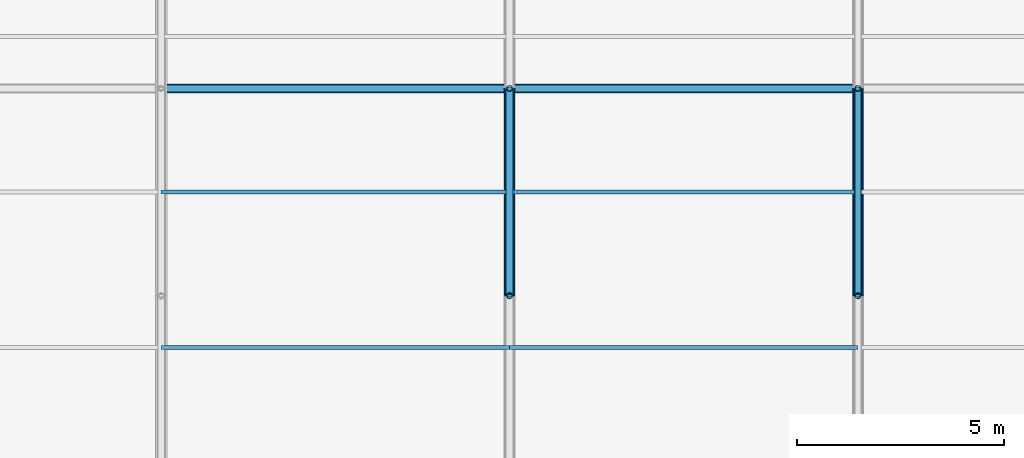
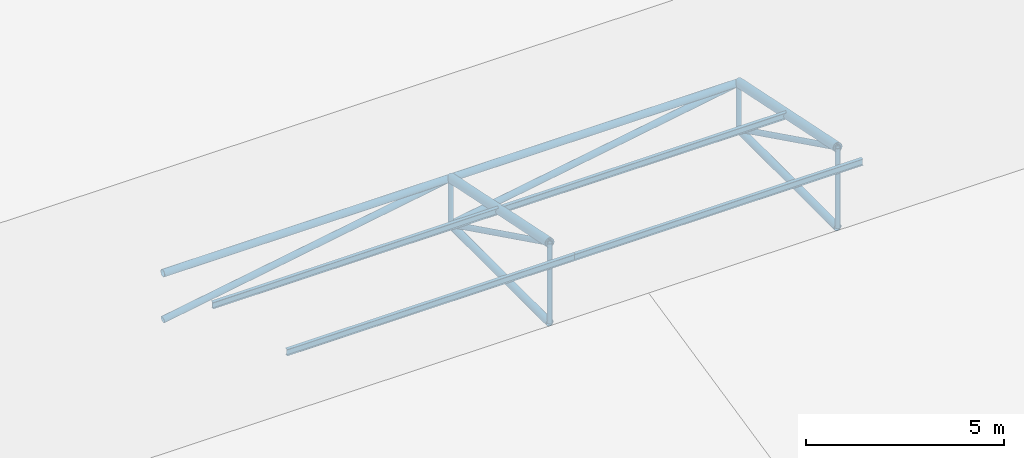
# One storey, part 25 of 194: 14 members, 4 beams.
"""IFC4 building model written with IfcOpenShell, lengths in metres."""

from ifc_helpers import new_model, si_unit, direction, frame, origin, origin_2d, place, context, subcontext, project, spatial, hollow_circle, i_section, extrude, material, material_profile, profile_set, type_object, element, save


model = new_model("IFC4")

# Units and contexts
model_context = context("Model", 3, precision=1e-05, world=origin(), true_north=direction((0.0, 1.0)))
body_context = subcontext(model_context, "Body", "Model", "MODEL_VIEW")
ifc_project = project(units=[si_unit("LENGTHUNIT", "METRE"), si_unit("AREAUNIT", "SQUARE_METRE"), si_unit("VOLUMEUNIT", "CUBIC_METRE"), si_unit("PLANEANGLEUNIT", "RADIAN"), si_unit("MASSUNIT", "GRAM", prefix="KILO")], contexts=[model_context])

# Site, building, storey
site_placement = place(None, origin())
site = spatial("IfcSite", under=ifc_project, at=site_placement, CompositionType="ELEMENT")
building_placement = place(site_placement, origin())
building = spatial("IfcBuilding", under=site, at=building_placement, Name="Kazenagashi Tramway Depot", CompositionType="ELEMENT")
storey_placement = place(building_placement, frame((0.0, 0.0, 23.7)))
storey = spatial("IfcBuildingStorey", under=building, at=storey_placement, Name="ROOF", CompositionType="ELEMENT", Elevation=23.7)

# Beams
ifc_material_1 = material(Name="Steel SN400B", Category="steel")
ifc_material_profile_1 = material_profile(ifc_material_1, i_section(OverallWidth=0.1, OverallDepth=0.2, WebThickness=0.0055, FlangeThickness=0.008, at=origin_2d()), Name="H-200x100x5.5x8")
ifc_profile_set_1 = profile_set([ifc_material_profile_1], Name="Steel SN400B")
beam_type = type_object("IfcBeamType", Name="PR-01", PredefinedType="USERDEFINED", material=ifc_profile_set_1)
for number, where, z_axis, x_axis, name in (
    (1, (61.6, 88.75, -11.305), (1.0, 0.0, 0.0), (0.0, 1.0, 0.0), "Beam PR-01 BM-2074"),
    (2, (70.0, 88.75, -11.305), (1.0, 0.0, 0.0), (0.0, 1.0, 0.0), "Beam PR-01 BM-2075"),
    (3, (61.6, 92.5, -12.13), (1.0, 0.0, 0.0), (0.0, 1.0, 0.0), "Beam PR-01 BM-2092"),
    (4, (70.0, 92.5, -12.13), (1.0, 0.0, 0.0), (0.0, 1.0, 0.0), "Beam PR-01 BM-2093"),
):
    element("IfcBeam", number, at=place(storey_placement, frame(where, z_axis=z_axis, x_axis=x_axis)), inside=storey, type_object=beam_type, Name=name, ObjectType="PURLIN", PredefinedType="USERDEFINED", context=body_context, shape_type="SweptSolid", body=[
        extrude(i_section(OverallWidth=0.1, OverallDepth=0.2, WebThickness=0.0055, FlangeThickness=0.008, at=origin_2d()), origin(), (0.0, 0.0, 1.0), 8.4),
    ])

# Members
ifc_material_2 = material(Name="Steel STK490", Category="steel")
ifc_material_profile_2 = material_profile(ifc_material_2, hollow_circle(Radius=0.1337, WallThickness=0.0093, at=origin_2d()), Name="CHS-267.4x9.3")
ifc_profile_set_2 = profile_set([ifc_material_profile_2], Name="Steel STK490")
member_type_1 = type_object("IfcMemberType", Name="TC-01", PredefinedType="CHORD", material=ifc_profile_set_2)
for number, where, z_axis, x_axis, name in (
    (5, (70.0, 90.0, -11.633), (0.0, 0.979279174591, -0.202514933305), (-1.0, 0.0, 0.0), "Tubular Space Frame TC-01 MEM-0196"),
    (6, (78.4, 90.0, -11.633), (0.0, 0.979279174591, -0.202514933305), (-1.0, 0.0, 0.0), "Tubular Space Frame TC-01 MEM-0257"),
):
    element("IfcMember", number, at=place(storey_placement, frame(where, z_axis=z_axis, x_axis=x_axis)), inside=storey, type_object=member_type_1, Name=name, PredefinedType="CHORD", context=body_context, shape_type="SweptSolid", body=[
        extrude(hollow_circle(Radius=0.1337, WallThickness=0.0093, at=origin_2d()), origin(), (0.0, 0.0, 1.0), 5.105796),
    ])
ifc_material_profile_3 = material_profile(ifc_material_2, hollow_circle(Radius=0.10815, WallThickness=0.0082, at=origin_2d()), Name="CHS-216.3x8.2")
ifc_profile_set_3 = profile_set([ifc_material_profile_3], Name="Steel STK490")
member_type_2 = type_object("IfcMemberType", Name="TC-02", PredefinedType="CHORD", material=ifc_profile_set_3)
member_1_placement = place(storey_placement, frame((61.6, 95.0, -12.667), z_axis=(1.0, 0.0, 0.0), x_axis=(0.0, 1.0, 0.0)))
element("IfcMember", 7, at=member_1_placement, inside=storey, type_object=member_type_2, Name="Tubular Space Frame TC-02 MEM-0152", PredefinedType="CHORD", context=body_context, shape_type="SweptSolid", body=[
    extrude(hollow_circle(Radius=0.10815, WallThickness=0.0082, at=origin_2d()), origin(), (0.0, 0.0, 1.0), 8.4),
])
member_2_placement = place(storey_placement, frame((70.0, 90.0, -14.1), z_axis=(0.0, 1.0, 0.0), x_axis=(-1.0, 0.0, 0.0)))
element("IfcMember", 8, at=member_2_placement, inside=storey, type_object=member_type_2, Name="Tubular Space Frame TC-02 MEM-0197", PredefinedType="CHORD", context=body_context, shape_type="SweptSolid", body=[
    extrude(hollow_circle(Radius=0.10815, WallThickness=0.0082, at=origin_2d()), origin(), (0.0, 0.0, 1.0), 5.0),
])
member_3_placement = place(storey_placement, frame((70.0, 95.0, -12.667), z_axis=(1.0, 0.0, 0.0), x_axis=(0.0, 1.0, 0.0)))
element("IfcMember", 9, at=member_3_placement, inside=storey, type_object=member_type_2, Name="Tubular Space Frame TC-02 MEM-0213", PredefinedType="CHORD", context=body_context, shape_type="SweptSolid", body=[
    extrude(hollow_circle(Radius=0.10815, WallThickness=0.0082, at=origin_2d()), origin(), (0.0, 0.0, 1.0), 8.4),
])
member_4_placement = place(storey_placement, frame((78.4, 90.0, -14.1), z_axis=(0.0, 1.0, 0.0), x_axis=(-1.0, 0.0, 0.0)))
element("IfcMember", 10, at=member_4_placement, inside=storey, type_object=member_type_2, Name="Tubular Space Frame TC-02 MEM-0258", PredefinedType="CHORD", context=body_context, shape_type="SweptSolid", body=[
    extrude(hollow_circle(Radius=0.10815, WallThickness=0.0082, at=origin_2d()), origin(), (0.0, 0.0, 1.0), 5.0),
])
ifc_material_profile_4 = material_profile(ifc_material_2, hollow_circle(Radius=0.0826, WallThickness=0.0071, at=origin_2d()), Name="CHS-165.2x7.1")
ifc_profile_set_4 = profile_set([ifc_material_profile_4], Name="Steel STK490")
member_type_3 = type_object("IfcMemberType", Name="TS-01", PredefinedType="STRUT", material=ifc_profile_set_4)
for number, where, z_axis, x_axis, name in (
    (11, (70.0, 90.0, -11.633), (0.0, 0.896782162482, -0.442472318969), (-1.0, 0.0, 0.0), "Tubular Space Frame TS-01 MEM-0198"),
    (12, (78.4, 90.0, -11.633), (0.0, 0.896782162482, -0.442472318969), (-1.0, 0.0, 0.0), "Tubular Space Frame TS-01 MEM-0259"),
):
    element("IfcMember", number, at=place(storey_placement, frame(where, z_axis=z_axis, x_axis=x_axis)), inside=storey, type_object=member_type_3, Name=name, PredefinedType="STRUT", context=body_context, shape_type="SweptSolid", body=[
        extrude(hollow_circle(Radius=0.0826, WallThickness=0.0071, at=origin_2d()), origin(), (0.0, 0.0, 1.0), 5.57549),
    ])
ifc_material_profile_5 = material_profile(ifc_material_2, hollow_circle(Radius=0.0699, WallThickness=0.0066, at=origin_2d()), Name="CHS-139.8x6.6")
ifc_profile_set_5 = profile_set([ifc_material_profile_5], Name="Steel STK490")
member_type_4 = type_object("IfcMemberType", Name="TS-02", PredefinedType="STRUT", material=ifc_profile_set_5)
member_5_placement = place(storey_placement, frame((70.0, 90.0, -14.1), z_axis=(0.0, 0.0, 1.0), x_axis=(1.0, 0.0, 0.0)))
element("IfcMember", 13, at=member_5_placement, inside=storey, type_object=member_type_4, Name="Tubular Space Frame TS-02 MEM-0206", PredefinedType="STRUT", context=body_context, shape_type="SweptSolid", body=[
    extrude(hollow_circle(Radius=0.0699, WallThickness=0.0066, at=origin_2d()), origin(), (0.0, 0.0, 1.0), 2.467),
])
member_6_placement = place(storey_placement, frame((70.0, 95.0, -14.1), z_axis=(0.0, 0.0, 1.0), x_axis=(1.0, 0.0, 0.0)))
element("IfcMember", 14, at=member_6_placement, inside=storey, type_object=member_type_4, Name="Tubular Space Frame TS-02 MEM-0207", PredefinedType="STRUT", context=body_context, shape_type="SweptSolid", body=[
    extrude(hollow_circle(Radius=0.0699, WallThickness=0.0066, at=origin_2d()), origin(), (0.0, 0.0, 1.0), 1.433),
])
member_7_placement = place(storey_placement, frame((78.4, 90.0, -14.1), z_axis=(0.0, 0.0, 1.0), x_axis=(1.0, 0.0, 0.0)))
element("IfcMember", 15, at=member_7_placement, inside=storey, type_object=member_type_4, Name="Tubular Space Frame TS-02 MEM-0267", PredefinedType="STRUT", context=body_context, shape_type="SweptSolid", body=[
    extrude(hollow_circle(Radius=0.0699, WallThickness=0.0066, at=origin_2d()), origin(), (0.0, 0.0, 1.0), 2.467),
])
member_8_placement = place(storey_placement, frame((78.4, 95.0, -14.1), z_axis=(0.0, 0.0, 1.0), x_axis=(1.0, 0.0, 0.0)))
element("IfcMember", 16, at=member_8_placement, inside=storey, type_object=member_type_4, Name="Tubular Space Frame TS-02 MEM-0268", PredefinedType="STRUT", context=body_context, shape_type="SweptSolid", body=[
    extrude(hollow_circle(Radius=0.0699, WallThickness=0.0066, at=origin_2d()), origin(), (0.0, 0.0, 1.0), 1.433),
])
ifc_material_profile_6 = material_profile(ifc_material_2, hollow_circle(Radius=0.09535, WallThickness=0.007, at=origin_2d()), Name="CHS-190.7x7.0")
ifc_profile_set_6 = profile_set([ifc_material_profile_6], Name="Steel STK490")
member_type_5 = type_object("IfcMemberType", Name="TS-05", PredefinedType="STRUT", material=ifc_profile_set_6)
for number, where, z_axis, x_axis, name in (
    (17, (61.6, 95.0, -14.1), (0.985758734117, 0.0, 0.168165745951), (0.0, 1.0, 0.0), "Tubular Space Frame TS-05 MEM-0153"),
    (18, (70.0, 95.0, -14.1), (0.985758734117, 0.0, 0.168165745951), (0.0, 1.0, 0.0), "Tubular Space Frame TS-05 MEM-0214"),
):
    element("IfcMember", number, at=place(storey_placement, frame(where, z_axis=z_axis, x_axis=x_axis)), inside=storey, type_object=member_type_5, Name=name, PredefinedType="STRUT", context=body_context, shape_type="SweptSolid", body=[
        extrude(hollow_circle(Radius=0.09535, WallThickness=0.007, at=origin_2d()), origin(), (0.0, 0.0, 1.0), 8.521355),
    ])

save(model, "model.ifc")
